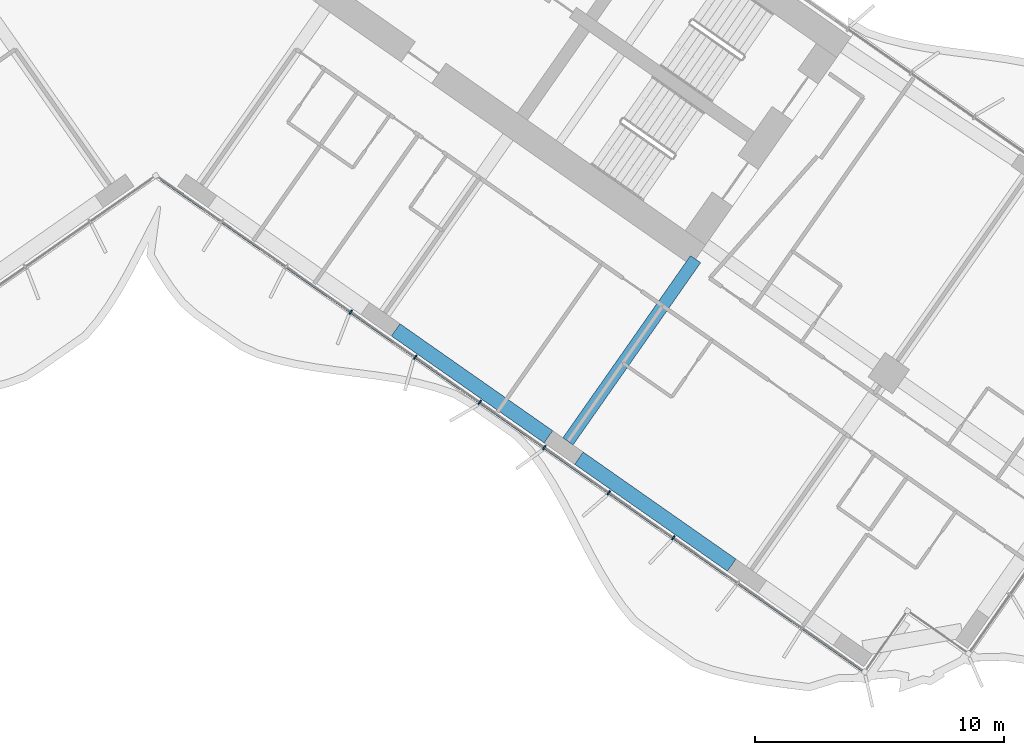
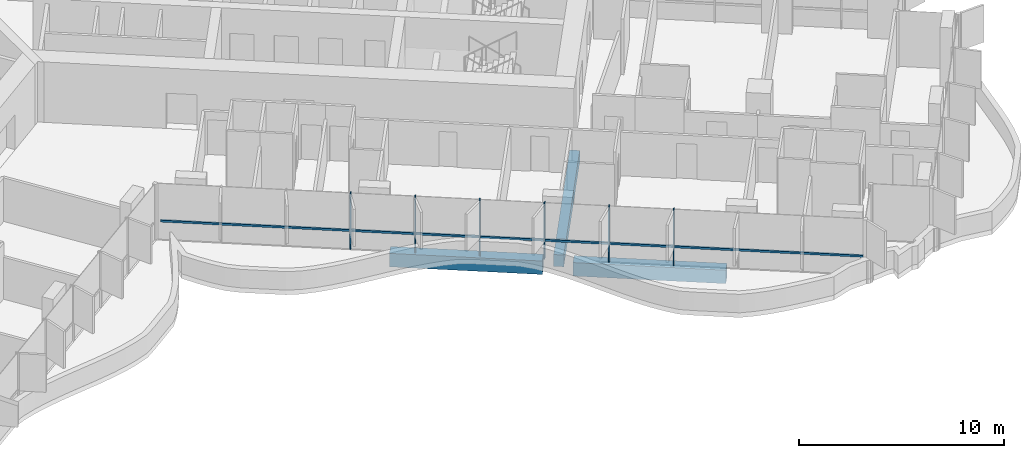
# One storey, part 5 of 23: 7 members, 3 beams, 1 element without a shape of its own.
"""IFC4 building model written with IfcOpenShell, lengths in metres."""

from ifc_helpers import new_model, si_unit, direction, frame, origin, origin_2d, place, context, subcontext, project, spatial, rectangle, extrude, material, material_profile, profile_set, type_object, element, aggregate, save


model = new_model("IFC4")

# Units and contexts
model_context = context("Model", 3, precision=1e-05, world=origin(), true_north=direction((0.0, 1.0)))
body_context = subcontext(model_context, "Body", "Model", "MODEL_VIEW")
ifc_project = project(units=[si_unit("LENGTHUNIT", "METRE"), si_unit("AREAUNIT", "SQUARE_METRE"), si_unit("VOLUMEUNIT", "CUBIC_METRE"), si_unit("PLANEANGLEUNIT", "RADIAN"), si_unit("MASSUNIT", "GRAM", prefix="KILO")], contexts=[model_context])

# Site, building, storey
site_placement = place(None, origin())
site = spatial("IfcSite", under=ifc_project, at=site_placement, CompositionType="ELEMENT")
building_placement = place(site_placement, origin())
building = spatial("IfcBuilding", under=site, at=building_placement, Name="Tel Ilan Convention Tower", CompositionType="ELEMENT")
storey_placement = place(building_placement, frame((0.0, 0.0, 119.300048828125)))
storey = spatial("IfcBuildingStorey", under=building, at=storey_placement, Name="L26", CompositionType="ELEMENT", Elevation=119.300048828125)

# Beams
ifc_material_1 = material(Name="Concrete C40/50", Category="concrete")
ifc_material_profile_1 = material_profile(ifc_material_1, rectangle(XDim=0.5, YDim=0.699951171875, at=origin_2d()), Name="RC 500x700")
ifc_profile_set_1 = profile_set([ifc_material_profile_1], Name="Concrete C40/50")
beam_type_1 = type_object("IfcBeamType", Name="Beam RC 500x700 Concrete C40/50", PredefinedType="BEAM", material=ifc_profile_set_1)
beam_placement = place(storey_placement, frame((16.58203125, -23.391357421875, -0.630126953125), z_axis=(0.573584999642, 0.819146048141, 0.0), x_axis=(-0.819146048141, 0.573584999642, 0.0)))
element("IfcBeam", 1, at=beam_placement, inside=storey, type_object=beam_type_1, Name="L26 beam E-E-F3-core", PredefinedType="BEAM", context=body_context, shape_type="SweptSolid", body=[
    extrude(rectangle(XDim=0.5, YDim=0.699951171875, at=origin_2d()), origin(), (0.0, 0.0, 1.0), 8.949951171875),
])
ifc_material_2 = material(Name="Concrete C40/50", Category="concrete")
ifc_material_profile_2 = material_profile(ifc_material_2, rectangle(XDim=0.60009765625, YDim=0.800048828125, at=origin_2d()), Name="RC 600x800")
ifc_profile_set_2 = profile_set([ifc_material_profile_2], Name="Concrete C40/50")
beam_type_2 = type_object("IfcBeamType", Name="Beam RC 600x800 Concrete C40/50", PredefinedType="BEAM", material=ifc_profile_set_2)
for number, where, z_axis, x_axis, name in (
    (2, (9.652099609375, -18.905029296875, -0.679931640625), (0.81915238829, -0.573575945067, 0.0), (0.573575945067, 0.81915238829, 0.0), "L26 beam E-E-F2-E-F3"),
    (3, (17.0244140625, -24.0673828125, -0.679931640625), (0.81915238829, -0.573575945067, 0.0), (0.573575945067, 0.81915238829, 0.0), "L26 beam E-E-F3-E-F4"),
):
    element("IfcBeam", number, at=place(storey_placement, frame(where, z_axis=z_axis, x_axis=x_axis)), inside=storey, type_object=beam_type_2, Name=name, PredefinedType="BEAM", context=body_context, shape_type="SweptSolid", body=[
        extrude(rectangle(XDim=0.60009765625, YDim=0.800048828125, at=origin_2d()), origin(), (0.0, 0.0, 1.0), 7.5),
    ])

# Curtain wall, members
ifc_material_3 = material(Name="Aluminium, bronze anodised", Category="aluminium")
curtain_wall_type = type_object("IfcCurtainWallType", Name="CW1 UNITISED CURTAIN WALL, HOTEL TINTED GLASS", PredefinedType="NOTDEFINED", material=ifc_material_3)
curtain_wall_placement = place(storey_placement, origin())
curtain_wall = element("IfcCurtainWall", 4, at=curtain_wall_placement, inside=storey, type_object=curtain_wall_type, Name="Curtain wall CW1-20.02", PredefinedType="NOTDEFINED")
ifc_material_4 = material(Name="Aluminium, bronze anodised", Category="aluminium")
ifc_material_profile_3 = material_profile(ifc_material_4, rectangle(XDim=0.06005859375, YDim=0.199951171875, at=origin_2d()), Name="CW MULLION 60x200")
ifc_profile_set_3 = profile_set([ifc_material_profile_3], Name="Aluminium, bronze anodised")
member_type_1 = type_object("IfcMemberType", Name="CW MULLION 60x200", PredefinedType="MULLION", material=ifc_profile_set_3)
member_1_placement = place(storey_placement, frame((7.842529296875, -18.1875, 0.0), z_axis=(0.0, 0.0, 1.0), x_axis=(0.819152044289, -0.573576436351, 0.0)))
member_1 = element("IfcMember", 5, at=member_1_placement, type_object=member_type_1, Name="Mullion", PredefinedType="MULLION", context=body_context, shape_type="SweptSolid", body=[
    extrude(rectangle(XDim=0.06005859375, YDim=0.199951171875, at=origin_2d()), origin(), (0.0, 0.0, 1.0), 3.320068359375),
])
member_2_placement = place(storey_placement, frame((10.4375, -20.004638671875, 0.0), z_axis=(0.0, 0.0, 1.0), x_axis=(0.819152044289, -0.573576436351, 0.0)))
member_2 = element("IfcMember", 6, at=member_2_placement, type_object=member_type_1, Name="Mullion", PredefinedType="MULLION", context=body_context, shape_type="SweptSolid", body=[
    extrude(rectangle(XDim=0.06005859375, YDim=0.199951171875, at=origin_2d()), origin(), (0.0, 0.0, 1.0), 3.320068359375),
])
member_3_placement = place(storey_placement, frame((13.03271484375, -21.821533203125, 0.0), z_axis=(0.0, 0.0, 1.0), x_axis=(0.819152044289, -0.573576436351, 0.0)))
member_3 = element("IfcMember", 7, at=member_3_placement, type_object=member_type_1, Name="Mullion", PredefinedType="MULLION", context=body_context, shape_type="SweptSolid", body=[
    extrude(rectangle(XDim=0.06005859375, YDim=0.199951171875, at=origin_2d()), origin(), (0.0, 0.0, 1.0), 3.320068359375),
])
member_4_placement = place(storey_placement, frame((15.627685546875, -23.638671875, 0.0), z_axis=(0.0, 0.0, 1.0), x_axis=(0.819152044289, -0.573576436351, 0.0)))
member_4 = element("IfcMember", 8, at=member_4_placement, type_object=member_type_1, Name="Mullion", PredefinedType="MULLION", context=body_context, shape_type="SweptSolid", body=[
    extrude(rectangle(XDim=0.06005859375, YDim=0.199951171875, at=origin_2d()), origin(), (0.0, 0.0, 1.0), 3.320068359375),
])
member_5_placement = place(storey_placement, frame((18.222900390625, -25.455810546875, 0.0), z_axis=(0.0, 0.0, 1.0), x_axis=(0.819152044289, -0.573576436351, 0.0)))
member_5 = element("IfcMember", 9, at=member_5_placement, type_object=member_type_1, Name="Mullion", PredefinedType="MULLION", context=body_context, shape_type="SweptSolid", body=[
    extrude(rectangle(XDim=0.06005859375, YDim=0.199951171875, at=origin_2d()), origin(), (0.0, 0.0, 1.0), 3.320068359375),
])
member_6_placement = place(storey_placement, frame((20.81787109375, -27.27294921875, 0.0), z_axis=(0.0, 0.0, 1.0), x_axis=(0.819152044289, -0.573576436351, 0.0)))
member_6 = element("IfcMember", 10, at=member_6_placement, type_object=member_type_1, Name="Mullion", PredefinedType="MULLION", context=body_context, shape_type="SweptSolid", body=[
    extrude(rectangle(XDim=0.06005859375, YDim=0.199951171875, at=origin_2d()), origin(), (0.0, 0.0, 1.0), 3.320068359375),
])
ifc_material_5 = material(Name="Aluminium, bronze anodised", Category="aluminium")
ifc_material_profile_4 = material_profile(ifc_material_5, rectangle(XDim=0.10009765625, YDim=0.1201171875, at=origin_2d()), Name="CW TRANSOM 100x120")
ifc_profile_set_4 = profile_set([ifc_material_profile_4], Name="Aluminium, bronze anodised")
member_type_2 = type_object("IfcMemberType", Name="CW TRANSOM 100x120", PredefinedType="USERDEFINED", material=ifc_profile_set_4)
member_7_placement = place(storey_placement, frame((0.22119140625, -12.850830078125, 1.099853515625), z_axis=(0.819151003602, -0.573577922604, 0.0), x_axis=(0.573577922604, 0.819151003602, 0.0)))
member_7 = element("IfcMember", 11, at=member_7_placement, type_object=member_type_2, Name="Transom", ObjectType="TRANSOM", PredefinedType="USERDEFINED", context=body_context, shape_type="SweptSolid", body=[
    extrude(rectangle(XDim=0.10009765625, YDim=0.1201171875, at=origin_2d()), origin(), (0.0, 0.0, 1.0), 34.447998046875),
])
aggregate(curtain_wall, [member_1, member_2, member_3, member_4, member_5, member_6, member_7])

save(model, "model.ifc")
